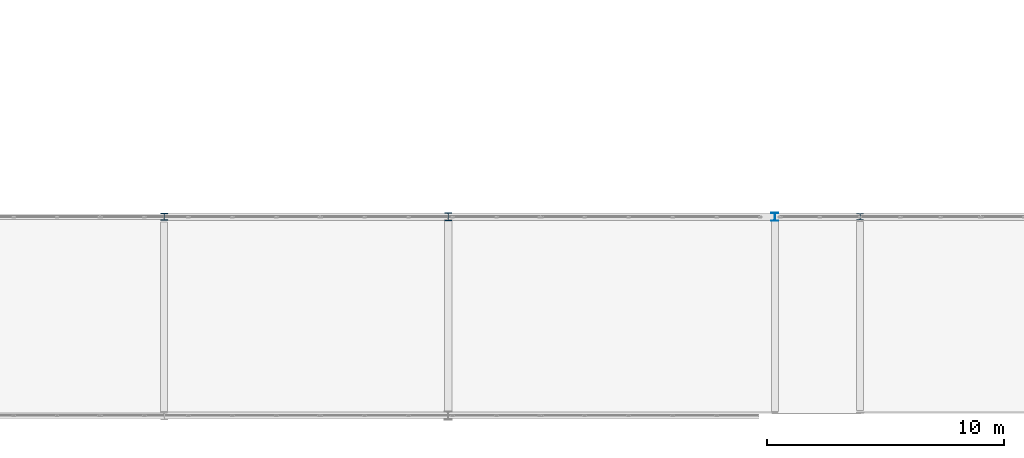
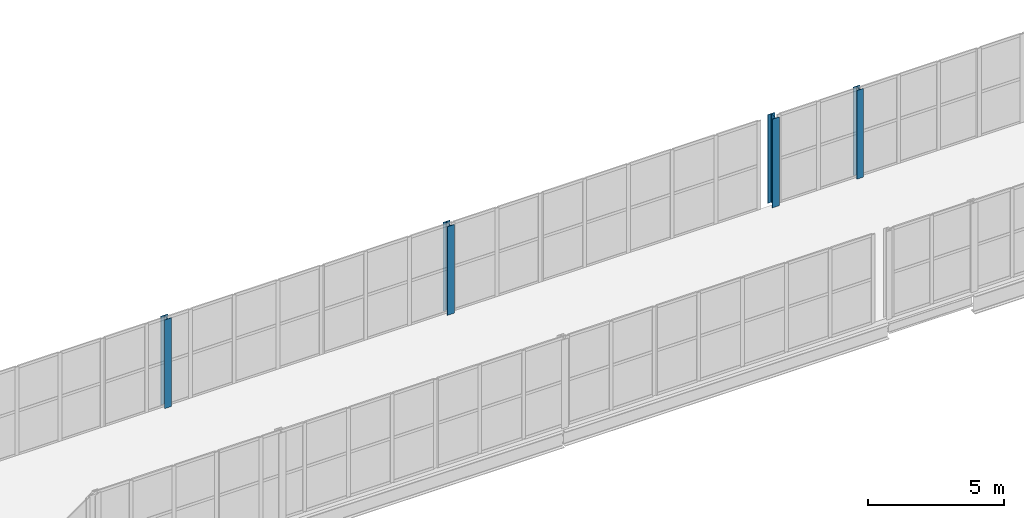
# One storey, part 17 of 138: 4 columns.
"""IFC4 building model written with IfcOpenShell, lengths in metres."""

from ifc_helpers import new_model, si_unit, direction, frame, origin, origin_2d, place, context, subcontext, project, spatial, i_section, extrude, material, material_profile, profile_set, type_object, element, save


model = new_model("IFC4")

# Units and contexts
model_context = context("Model", 3, precision=1e-05, world=origin(), true_north=direction((0.0, 1.0)))
body_context = subcontext(model_context, "Body", "Model", "MODEL_VIEW")
ifc_project = project(units=[si_unit("LENGTHUNIT", "METRE"), si_unit("AREAUNIT", "SQUARE_METRE"), si_unit("VOLUMEUNIT", "CUBIC_METRE"), si_unit("PLANEANGLEUNIT", "RADIAN"), si_unit("MASSUNIT", "GRAM", prefix="KILO")], contexts=[model_context])

# Site, building, storey
site_placement = place(None, origin())
site = spatial("IfcSite", under=ifc_project, at=site_placement, CompositionType="ELEMENT")
building_placement = place(site_placement, origin())
building = spatial("IfcBuilding", under=site, at=building_placement, Name="Vinh Khe Railworks Police Headquarters", CompositionType="ELEMENT")
storey_placement = place(building_placement, frame((0.0, 0.0, 9.0)))
storey = spatial("IfcBuildingStorey", under=building, at=storey_placement, Name="L02", CompositionType="ELEMENT", Elevation=9.0)

# Columns
ifc_material = material(Name="Steel S355JR", Category="steel")
ifc_material_profile_1 = material_profile(ifc_material, i_section(OverallWidth=0.280029296875, OverallDepth=0.27001953125, WebThickness=0.008056640625, FlangeThickness=0.012939453125, FilletRadius=0.02392578125, at=origin_2d()), Name="HEA 280")
ifc_profile_set_1 = profile_set([ifc_material_profile_1], Name="Steel S355JR")
column_type_1 = type_object("IfcColumnType", Name="Steel Column HEA 280", PredefinedType="COLUMN", material=ifc_profile_set_1)
column_1_placement = place(storey_placement, frame((63.60009765625, 104.39990234375, 0.0), z_axis=(0.0, 0.0, 1.0), x_axis=(1.0, 0.0, 0.0)))
element("IfcColumn", 1, at=column_1_placement, inside=storey, type_object=column_type_1, Name="Column COL-L02-SC-19-1131", PredefinedType="COLUMN", context=body_context, shape_type="SweptSolid", body=[
    extrude(i_section(OverallWidth=0.280029296875, OverallDepth=0.27001953125, WebThickness=0.008056640625, FlangeThickness=0.012939453125, FilletRadius=0.02392578125, at=origin_2d()), origin(), (0.0, 0.0, 1.0), 3.97998046875),
])
ifc_material_profile_2 = material_profile(ifc_material, i_section(OverallWidth=0.300048828125, OverallDepth=0.2900390625, WebThickness=0.008544921875, FlangeThickness=0.013916015625, FilletRadius=0.027099609375, at=origin_2d()), Name="HEA 300")
ifc_profile_set_2 = profile_set([ifc_material_profile_2], Name="Steel S355JR")
column_type_2 = type_object("IfcColumnType", Name="Steel Column HEA 300", PredefinedType="COLUMN", material=ifc_profile_set_2)
column_2_placement = place(storey_placement, frame((34.199951171875, 104.39990234375, 0.0), z_axis=(0.0, 0.0, 1.0), x_axis=(1.0, 0.0, 0.0)))
element("IfcColumn", 2, at=column_2_placement, inside=storey, type_object=column_type_2, Name="Column COL-L02-SC-18-0815", PredefinedType="COLUMN", context=body_context, shape_type="SweptSolid", body=[
    extrude(i_section(OverallWidth=0.300048828125, OverallDepth=0.2900390625, WebThickness=0.008544921875, FlangeThickness=0.013916015625, FilletRadius=0.027099609375, at=origin_2d()), origin(), (0.0, 0.0, 1.0), 3.97998046875),
])
ifc_material_profile_3 = material_profile(ifc_material, i_section(OverallWidth=0.300048828125, OverallDepth=0.330078125, WebThickness=0.009521484375, FlangeThickness=0.0166015625, FilletRadius=0.027099609375, at=origin_2d()), Name="HEA 340")
ifc_profile_set_3 = profile_set([ifc_material_profile_3], Name="Steel S355JR")
column_type_3 = type_object("IfcColumnType", Name="Steel Column HEA 340", PredefinedType="COLUMN", material=ifc_profile_set_3)
column_3_placement = place(storey_placement, frame((46.199951171875, 104.39990234375, 0.0), z_axis=(0.0, 0.0, 1.0), x_axis=(1.0, 0.0, 0.0)))
element("IfcColumn", 3, at=column_3_placement, inside=storey, type_object=column_type_3, Name="Column COL-L02-SC-17-0933", PredefinedType="COLUMN", context=body_context, shape_type="SweptSolid", body=[
    extrude(i_section(OverallWidth=0.300048828125, OverallDepth=0.330078125, WebThickness=0.009521484375, FlangeThickness=0.0166015625, FilletRadius=0.027099609375, at=origin_2d()), origin(), (0.0, 0.0, 1.0), 3.97998046875),
])
ifc_material_profile_4 = material_profile(ifc_material, i_section(OverallWidth=0.300048828125, OverallDepth=0.35009765625, WebThickness=0.010009765625, FlangeThickness=0.017578125, FilletRadius=0.027099609375, at=origin_2d()), Name="HEA 360")
ifc_profile_set_4 = profile_set([ifc_material_profile_4], Name="Steel S355JR")
column_type_4 = type_object("IfcColumnType", Name="Steel Column HEA 360", PredefinedType="COLUMN", material=ifc_profile_set_4)
column_4_placement = place(storey_placement, frame((60.0, 104.39990234375, 0.0), z_axis=(0.0, 0.0, 1.0), x_axis=(1.0, 0.0, 0.0)))
element("IfcColumn", 4, at=column_4_placement, inside=storey, type_object=column_type_4, Name="Column COL-L02-SC-16-1058", PredefinedType="COLUMN", context=body_context, shape_type="SweptSolid", body=[
    extrude(i_section(OverallWidth=0.300048828125, OverallDepth=0.35009765625, WebThickness=0.010009765625, FlangeThickness=0.017578125, FilletRadius=0.027099609375, at=origin_2d()), origin(), (0.0, 0.0, 1.0), 3.97998046875),
])

save(model, "model.ifc")
